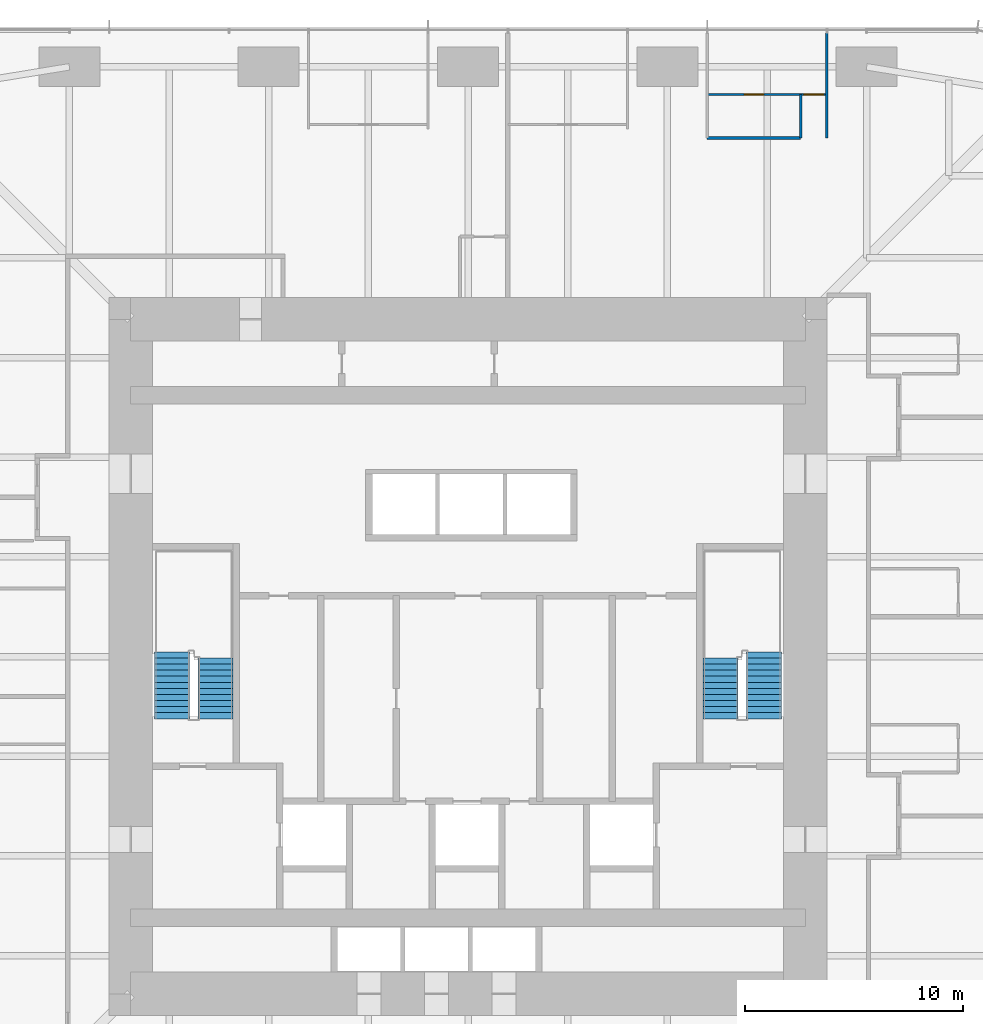
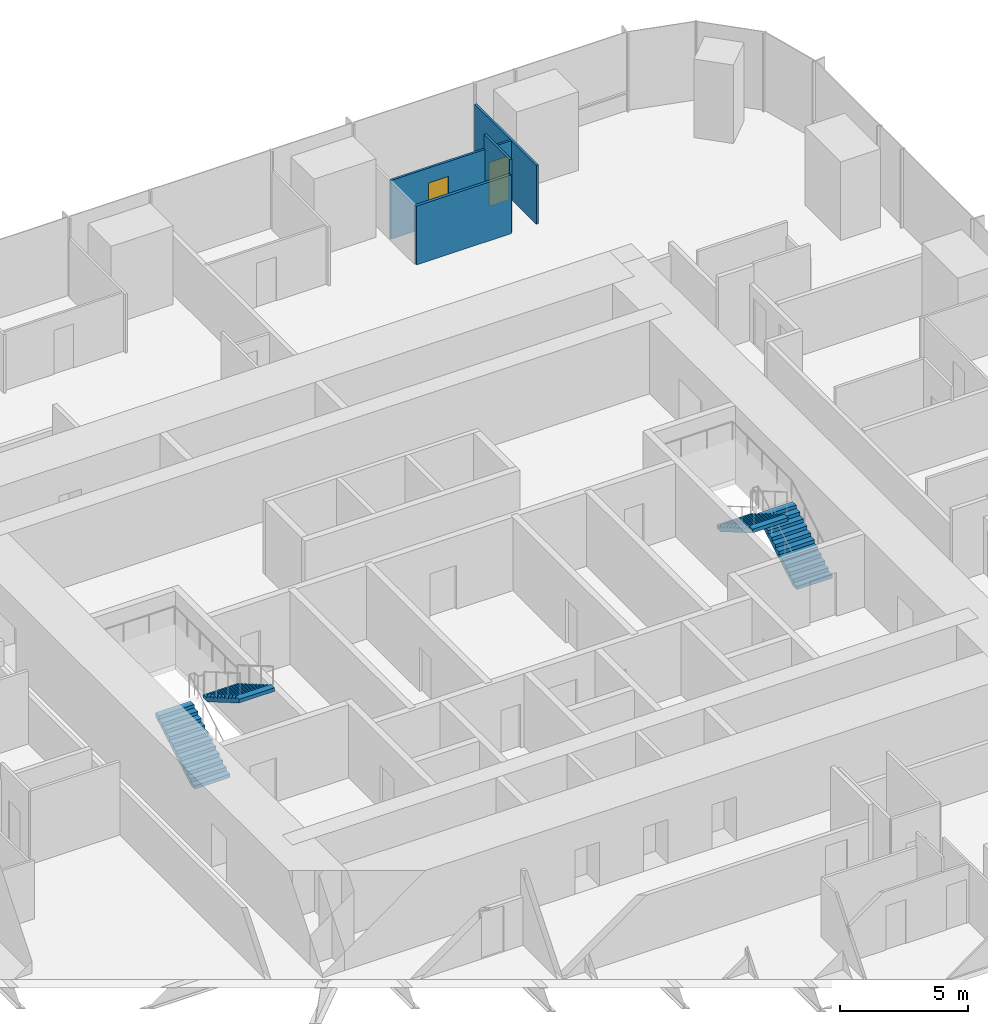
# One storey, part 12 of 13: 4 stair flights, 4 walls, 2 doors, 2 openings, 2 elements without a shape of their own.
"""IFC4 building model written with IfcOpenShell, lengths in metres."""

import ifcopenshell
import ifcopenshell.guid

model = None  # the IFC model being written
_history = None  # IfcOwnerHistory: only IFC2X3 demands one
_inside = {}  # id of a spatial element -> (the spatial element, [elements in it])
_under = {}  # id of a project, library or spatial element -> (it, [spatial elements below it])
_declared = {}  # id of a project -> (the project, [libraries it declares])
_typed = {}  # id of a type object -> (the type object, [elements of that type])
_made_of = {}  # id of a material, layer set ... -> (it, [elements and type objects made of it])


def new_model(schema):
    """Start an empty IFC model of exactly this schema.

    Asked for "IFC4X3", IfcOpenShell would pick the latest addendum, in which some entities
    have other attributes; the version numbers below select the first issue.
    IFC2X3 requires an IfcOwnerHistory on every rooted entity: one is made here for all.
    """
    global model, _history
    if schema == "IFC4X3":
        model = ifcopenshell.file(schema_version=(4, 3, 0, 0))
    else:
        model = ifcopenshell.file(schema=schema)
    _inside.clear()
    _under.clear()
    _declared.clear()
    _typed.clear()
    _made_of.clear()
    _history = None
    if model.schema == "IFC2X3":
        org = make("IfcOrganization", Name="unknown")
        user = make(
            "IfcPersonAndOrganization",
            ThePerson=make("IfcPerson", FamilyName="unknown"),
            TheOrganization=org,
        )
        app = make(
            "IfcApplication",
            ApplicationDeveloper=org,
            Version="unknown",
            ApplicationFullName="unknown",
            ApplicationIdentifier="unknown",
        )
        _history = make(
            "IfcOwnerHistory",
            OwningUser=user,
            OwningApplication=app,
            ChangeAction="ADDED",
            CreationDate=0,
        )
    return model


def make(cls, **values):
    """One entity of the class cls with the attributes given. An attribute that is None is left unset."""
    return model.create_entity(
        cls, **{name: value for name, value in values.items() if value is not None}
    )


def rooted(cls, **values):
    """An entity with a GlobalId (a new one), such as an element, a storey or a relation."""
    return make(cls, GlobalId=ifcopenshell.guid.new(), OwnerHistory=_history, **values)


def si_unit(unit_type, name, prefix=None):
    """IfcSIUnit, for example si_unit("LENGTHUNIT", "METRE", prefix="MILLI")."""
    return make("IfcSIUnit", UnitType=unit_type, Prefix=prefix, Name=name)


def assignment(units):
    """IfcUnitAssignment: the units of a project."""
    return None if units is None else make("IfcUnitAssignment", Units=units)


def point(xyz):
    """IfcCartesianPoint."""
    return None if xyz is None else make("IfcCartesianPoint", Coordinates=xyz)


def direction(xyz):
    """IfcDirection."""
    return None if xyz is None else make("IfcDirection", DirectionRatios=xyz)


def frame(location, z_axis=None, x_axis=None):
    """IfcAxis2Placement3D, a coordinate frame: its origin and axes. An axis left out is left unset."""
    return make(
        "IfcAxis2Placement3D",
        Location=point(location),
        Axis=direction(z_axis),
        RefDirection=direction(x_axis),
    )


def frame_2d(location, x_axis=None):
    """IfcAxis2Placement2D, a coordinate frame in the plane: its origin and x axis."""
    return make(
        "IfcAxis2Placement2D", Location=point(location), RefDirection=direction(x_axis)
    )


def origin():
    """The frame at (0, 0, 0) with its axes left unset."""
    return frame((0.0, 0.0, 0.0))


def place(relative_to, where):
    """IfcLocalPlacement: puts the frame where relative to a parent placement (None: the world)."""
    return make(
        "IfcLocalPlacement", PlacementRelTo=relative_to, RelativePlacement=where
    )


def context(
    kind, dimensions, precision=None, world=None, true_north=None, identifier=None
):
    """IfcGeometricRepresentationContext, for example the 3D "Model" context."""
    return make(
        "IfcGeometricRepresentationContext",
        ContextIdentifier=identifier,
        ContextType=kind,
        CoordinateSpaceDimension=dimensions,
        Precision=precision,
        WorldCoordinateSystem=world,
        TrueNorth=true_north,
    )


def subcontext(parent, identifier, kind, view, scale=None):
    """IfcGeometricRepresentationSubContext, for example "Body" below "Model"."""
    return make(
        "IfcGeometricRepresentationSubContext",
        ContextIdentifier=identifier,
        ContextType=kind,
        ParentContext=parent,
        TargetScale=scale,
        TargetView=view,
    )


def project(units=None, contexts=None):
    """IfcProject with its units and contexts."""
    return rooted(
        "IfcProject",
        Name="project",
        RepresentationContexts=contexts,
        UnitsInContext=assignment(units),
    )


def spatial(cls, under=None, at=None, **own):
    """A site, building, storey or space (cls), placed at a placement, below another one or the project."""
    s = rooted(cls, ObjectPlacement=at, **own)
    if under is not None:
        _under.setdefault(under.id(), (under, []))[1].append(s)
    return s


def polyline(points):
    """IfcPolyline through the points."""
    return make("IfcPolyline", Points=[point(p) for p in points])


def profile(cls, at=None, kind="AREA", **sizes):
    """A parametric profile (cls). Its sizes go by their IFC names, for example OverallWidth=200.0."""
    return make(cls, ProfileType=kind, Position=at, **sizes)


def rectangle(**sizes):
    """IfcRectangleProfileDef."""
    return profile("IfcRectangleProfileDef", **sizes)


def outline(outer, holes=None, kind="AREA"):
    """IfcArbitraryClosedProfileDef: a profile drawn as a closed curve; with holes, ...WithVoids."""
    if holes is None:
        return make("IfcArbitraryClosedProfileDef", ProfileType=kind, OuterCurve=outer)
    return make(
        "IfcArbitraryProfileDefWithVoids",
        ProfileType=kind,
        OuterCurve=outer,
        InnerCurves=holes,
    )


def extrude(swept, where, along, depth):
    """IfcExtrudedAreaSolid: the profile swept, set in the frame where, extruded along a direction by depth."""
    return make(
        "IfcExtrudedAreaSolid",
        SweptArea=swept,
        Position=where,
        ExtrudedDirection=direction(along),
        Depth=depth,
    )


def shape(context_of_items, identifier, shape_type, items):
    """IfcShapeRepresentation: the items that make up one representation, for example the "Body"."""
    return make(
        "IfcShapeRepresentation",
        ContextOfItems=context_of_items,
        RepresentationIdentifier=identifier,
        RepresentationType=shape_type,
        Items=items,
    )


def material(Name=None, Category=None):
    """IfcMaterial."""
    return make("IfcMaterial", Name=Name, Category=Category)


def layer(
    of_material, thickness, ventilated=None, Name=None, Category=None, Priority=None
):
    """IfcMaterialLayer: one layer of a wall or slab, of a material (None: an air gap)."""
    return make(
        "IfcMaterialLayer",
        Material=of_material,
        LayerThickness=thickness,
        IsVentilated=ventilated,
        Name=Name,
        Category=Category,
        Priority=Priority,
    )


def layer_set(layers, Name=None):
    """IfcMaterialLayerSet."""
    return make("IfcMaterialLayerSet", MaterialLayers=layers, LayerSetName=Name)


def made_of(thing, what):
    """Note that an element or type object is made of a material, layer set ...; save() writes the relation."""
    if what is not None:
        _made_of.setdefault(what.id(), (what, []))[1].append(thing)
    return thing


def type_object(cls, material=None, **own):
    """A type object (cls), such as IfcWallType, which elements share."""
    return made_of(rooted(cls, **own), material)


def element(
    cls,
    number,
    at=None,
    inside=None,
    cuts=None,
    type_object=None,
    material=None,
    context=None,
    identifier="Body",
    shape_type=None,
    held_by="IfcProductDefinitionShape",
    body=None,
    shapes=None,
    **own,
):
    """One element of the class cls, such as IfcWall. Its Tag is "e" and its number.

    at: its placement. inside: the storey or other place that contains it. cuts: it is an
    opening in that element (IfcRelVoidsElement). A single representation is given by context,
    identifier, shape_type and body (its items); several are given by shapes. held_by: the class
    of the entity that holds the representations. save() writes the other relations.
    """
    e = rooted(cls, Tag="e%d" % number, ObjectPlacement=at, **own)
    if body is not None:
        shapes = [shape(context, identifier, shape_type, body)]
    if shapes is not None:
        e.Representation = make(held_by, Representations=shapes)
    if inside is not None:
        _inside.setdefault(inside.id(), (inside, []))[1].append(e)
    if cuts is not None:
        rooted(
            "IfcRelVoidsElement", RelatingBuildingElement=cuts, RelatedOpeningElement=e
        )
    if type_object is not None:
        _typed.setdefault(type_object.id(), (type_object, []))[1].append(e)
    return made_of(e, material)


def fill(opening, filler):
    """IfcRelFillsElement: the door or window that sits in an opening."""
    return rooted(
        "IfcRelFillsElement",
        RelatingOpeningElement=opening,
        RelatedBuildingElement=filler,
    )


def aggregate(whole, parts):
    """IfcRelAggregates: a whole, such as a stair, and the parts it consists of."""
    return rooted("IfcRelAggregates", RelatingObject=whole, RelatedObjects=parts)


def save(model, path):
    """Write the relations noted so far, then the file.

    IfcRelAggregates (storeys below a building ...), IfcRelContainedInSpatialStructure (elements
    in a storey), IfcRelDefinesByType, IfcRelAssociatesMaterial and IfcRelDeclares: one each for
    every whole, place, type object, material and project.
    """
    for whole, parts in _under.values():
        aggregate(whole, parts)
    for where, things in _inside.values():
        rooted(
            "IfcRelContainedInSpatialStructure",
            RelatedElements=things,
            RelatingStructure=where,
        )
    for kind, things in _typed.values():
        rooted("IfcRelDefinesByType", RelatedObjects=things, RelatingType=kind)
    for what, things in _made_of.values():
        rooted("IfcRelAssociatesMaterial", RelatedObjects=things, RelatingMaterial=what)
    for by, libraries in _declared.values():
        rooted("IfcRelDeclares", RelatingContext=by, RelatedDefinitions=libraries)
    model.write(path)


model = new_model("IFC4")

# Units and contexts
model_context = context("Model", 3, precision=1e-05, world=origin(), true_north=direction((0.0, 1.0)))
body_context = subcontext(model_context, "Body", "Model", "MODEL_VIEW")
ifc_project = project(units=[si_unit("LENGTHUNIT", "METRE"), si_unit("AREAUNIT", "SQUARE_METRE"), si_unit("VOLUMEUNIT", "CUBIC_METRE"), si_unit("PLANEANGLEUNIT", "RADIAN"), si_unit("MASSUNIT", "GRAM", prefix="KILO")], contexts=[model_context])

# Site, building, storey
site_placement = place(None, origin())
site = spatial("IfcSite", under=ifc_project, at=site_placement, CompositionType="ELEMENT")
building_placement = place(site_placement, origin())
building = spatial("IfcBuilding", under=site, at=building_placement, Name="Khuree Lantern Residences", CompositionType="ELEMENT")
storey_placement = place(building_placement, frame((0.0, 0.0, 137.25)))
storey = spatial("IfcBuildingStorey", under=building, at=storey_placement, Name="L34", CompositionType="ELEMENT", Elevation=137.25)

# Walls
ifc_material_1 = material(Name="Moisture-resistant gypsum board on steel studs", Category="steel")
ifc_layer_1 = layer(ifc_material_1, 0.125)
ifc_layer_set_1 = layer_set([ifc_layer_1], Name="BATHROOM WALL BTW125")
wall_type_1 = type_object("IfcWallType", Name="BATHROOM WALL BTW125", PredefinedType="PARTITIONING", material=ifc_layer_set_1)
wall_1_placement = place(storey_placement, frame((15.2880859375, 23.829833984375, 0.0), z_axis=(0.0, 0.0, 1.0), x_axis=(-1.0, 0.0, 0.0)))
element("IfcWall", 1, at=wall_1_placement, inside=storey, type_object=wall_type_1, Name="L34 BATHROOM WALL 03", PredefinedType="PARTITIONING", context=body_context, shape_type="SweptSolid", body=[
    extrude(rectangle(XDim=4.296142578125, YDim=0.125, at=frame_2d((2.14794921875, 0.0))), origin(), (0.0, 0.0, 1.0), 2.81005859375),
])
ifc_material_2 = material(Name="Gypsum board on steel studs", Category="steel")
ifc_layer_2 = layer(ifc_material_2, 0.10009765625)
ifc_layer_set_2 = layer_set([ifc_layer_2], Name="PARTITION PT100")
wall_type_2 = type_object("IfcWallType", Name="PARTITION PT100", PredefinedType="PARTITIONING", material=ifc_layer_set_2)
wall_2_placement = place(storey_placement, frame((16.488037109375, 23.829833984375, 0.0), z_axis=(0.0, 0.0, 1.0), x_axis=(0.0, 1.0, 0.0)))
element("IfcWall", 2, at=wall_2_placement, inside=storey, type_object=wall_type_2, Name="L34 PARTITION 03", PredefinedType="PARTITIONING", context=body_context, shape_type="SweptSolid", body=[
    extrude(rectangle(XDim=4.820068359375, YDim=0.10009765625, at=frame_2d((2.41015625, 0.0))), origin(), (0.0, 0.0, 1.0), 2.81005859375),
])

# Wall, openings, doors
wall_3_placement = place(storey_placement, frame((16.488037109375, 25.829833984375, 0.0), z_axis=(0.0, 0.0, 1.0), x_axis=(-1.0, 0.0, 0.0)))
wall_3 = element("IfcWall", 3, at=wall_3_placement, inside=storey, type_object=wall_type_2, Name="L34 PARTITION 03", PredefinedType="PARTITIONING", context=body_context, shape_type="SweptSolid", body=[
    extrude(rectangle(XDim=5.49609375, YDim=0.10009765625, at=frame_2d((2.748046875, 0.0))), origin(), (0.0, 0.0, 1.0), 2.81005859375),
])
opening_1_placement = place(wall_3_placement, frame((0.14990234375, 0.0, 0.0)))
opening_1 = element("IfcOpeningElement", 4, at=opening_1_placement, cuts=wall_3, Name="Opening 34-029", PredefinedType="OPENING", context=body_context, shape_type="SweptSolid", body=[
    extrude(rectangle(XDim=0.89990234375, YDim=2.10009765625, at=frame_2d((0.449951171875, 1.050048828125))), frame((0.0, 0.06005859375, 0.0), z_axis=(0.0, -1.0, 0.0), x_axis=(1.0, 0.0, 0.0)), (0.0, 0.0, 1.0), 0.1201171875),
])
opening_2_placement = place(wall_3_placement, frame((2.89794921875, 0.0, 0.0)))
opening_2 = element("IfcOpeningElement", 5, at=opening_2_placement, cuts=wall_3, Name="Opening 34-030", PredefinedType="OPENING", context=body_context, shape_type="SweptSolid", body=[
    extrude(rectangle(XDim=0.89990234375, YDim=2.10009765625, at=frame_2d((0.449951171875, 1.050048828125))), frame((0.0, 0.06005859375, 0.0), z_axis=(0.0, -1.0, 0.0), x_axis=(1.0, 0.0, 0.0)), (0.0, 0.0, 1.0), 0.1201171875),
])
ifc_material_3 = material(Name="Timber door leaf in hardwood frame", Category="wood")
door_type_1 = type_object("IfcDoorType", Name="BATHROOM DOOR 900X2100", OperationType="SINGLE_SWING_LEFT", PredefinedType="DOOR", material=ifc_material_3)
door_1_placement = place(opening_2_placement, origin())
door_1 = element("IfcDoor", 6, at=door_1_placement, inside=storey, type_object=door_type_1, Name="Bathroom door 34-030", OperationType="SINGLE_SWING_LEFT", OverallHeight=2.10009765625, OverallWidth=0.89990234375, PredefinedType="DOOR", context=body_context, shape_type="SweptSolid", body=[
    extrude(rectangle(XDim=0.89990234375, YDim=2.10009765625, at=frame_2d((0.449951171875, 1.050048828125))), frame((0.0, 0.02490234375, 0.0), z_axis=(0.0, -1.0, 0.0), x_axis=(1.0, 0.0, 0.0)), (0.0, 0.0, 1.0), 0.050048828125),
])
fill(opening_2, door_1)
door_type_2 = type_object("IfcDoorType", Name="BEDROOM DOOR 900X2100", OperationType="SINGLE_SWING_LEFT", PredefinedType="DOOR", material=ifc_material_3)
door_2_placement = place(opening_1_placement, origin())
door_2 = element("IfcDoor", 7, at=door_2_placement, inside=storey, type_object=door_type_2, Name="Bedroom door 34-029", OperationType="SINGLE_SWING_LEFT", OverallHeight=2.10009765625, OverallWidth=0.89990234375, PredefinedType="DOOR", context=body_context, shape_type="SweptSolid", body=[
    extrude(rectangle(XDim=0.89990234375, YDim=2.10009765625, at=frame_2d((0.449951171875, 1.050048828125))), frame((0.0, 0.02490234375, 0.0), z_axis=(0.0, -1.0, 0.0), x_axis=(1.0, 0.0, 0.0)), (0.0, 0.0, 1.0), 0.050048828125),
])
fill(opening_1, door_2)

# Wall
wall_4_placement = place(storey_placement, frame((15.2880859375, 23.829833984375, 0.0), z_axis=(0.0, 0.0, 1.0), x_axis=(0.0, 1.0, 0.0)))
element("IfcWall", 8, at=wall_4_placement, inside=storey, type_object=wall_type_2, Name="L34 PARTITION 03", PredefinedType="PARTITIONING", context=body_context, shape_type="SweptSolid", body=[
    extrude(rectangle(XDim=2.0, YDim=0.10009765625, at=frame_2d((1.0, 0.0))), origin(), (0.0, 0.0, 1.0), 3.5),
])

# Stair, stair flights
ifc_material_4 = material(Name="Concrete C40/50", Category="concrete")
stair_type = type_object("IfcStairType", Name="STAIR ST1 HALF TURN 3600", PredefinedType="HALF_TURN_STAIR", material=ifc_material_4)
stair_1_placement = place(storey_placement, origin())
stair_1 = element("IfcStair", 9, at=stair_1_placement, inside=storey, type_object=stair_type, Name="Stair ST1", PredefinedType="HALF_TURN_STAIR")
stair_flight_type = type_object("IfcStairFlightType", Name="STAIR FLIGHT SF1 1600", PredefinedType="STRAIGHT", material=ifc_material_4)
stair_flight_1_placement = place(storey_placement, frame((-13.60009765625, -2.860107421875, 0.0), z_axis=(0.0, 0.0, 1.0), x_axis=(0.0, 1.0, 0.0)))
stair_flight_1 = element("IfcStairFlight", 10, at=stair_flight_1_placement, type_object=stair_flight_type, Name="ST1 flight 1", NumberOfRisers=12, NumberOfTreads=11, PredefinedType="STRAIGHT", RiserHeight=0.163043478, TreadLength=0.28, context=body_context, shape_type="SweptSolid", body=[
    extrude(outline(polyline([(0.0, 0.0), (0.0, 0.1630859375), (0.280029296875, 0.1630859375), (0.280029296875, 0.326171875), (0.56005859375, 0.326171875), (0.56005859375, 0.489013671875), (0.840087890625, 0.489013671875), (0.840087890625, 0.652099609375), (1.1201171875, 0.652099609375), (1.1201171875, 0.815185546875), (1.39990234375, 0.815185546875), (1.39990234375, 0.978271484375), (1.679931640625, 0.978271484375), (1.679931640625, 1.141357421875), (1.9599609375, 1.141357421875), (1.9599609375, 1.304443359375), (2.239990234375, 1.304443359375), (2.239990234375, 1.46728515625), (2.52001953125, 1.46728515625), (2.52001953125, 1.63037109375), (2.800048828125, 1.63037109375), (2.800048828125, 1.79345703125), (3.080078125, 1.79345703125), (3.080078125, 1.95654296875), (3.080078125, 1.6201171875), (0.2978515625, 0.0), (0.0, 0.0)])), frame((0.0, 0.800048828125, 0.0), z_axis=(0.0, -1.0, 0.0), x_axis=(1.0, 0.0, 0.0)), (0.0, 0.0, 1.0), 1.60009765625),
])
stair_flight_2_placement = place(storey_placement, frame((-11.60009765625, -0.06005859375, 1.95654296875), z_axis=(0.0, 0.0, 1.0), x_axis=(0.0, -1.0, 0.0)))
stair_flight_2 = element("IfcStairFlight", 11, at=stair_flight_2_placement, type_object=stair_flight_type, Name="ST1 flight 2", NumberOfRisers=11, NumberOfTreads=10, PredefinedType="STRAIGHT", RiserHeight=0.163043478, TreadLength=0.28, context=body_context, shape_type="SweptSolid", body=[
    extrude(outline(polyline([(0.0, 0.0), (0.0, 0.1630859375), (0.280029296875, 0.1630859375), (0.280029296875, 0.326171875), (0.56005859375, 0.326171875), (0.56005859375, 0.489013671875), (0.840087890625, 0.489013671875), (0.840087890625, 0.652099609375), (1.1201171875, 0.652099609375), (1.1201171875, 0.815185546875), (1.39990234375, 0.815185546875), (1.39990234375, 0.978271484375), (1.679931640625, 0.978271484375), (1.679931640625, 1.141357421875), (1.9599609375, 1.141357421875), (1.9599609375, 1.304443359375), (2.239990234375, 1.304443359375), (2.239990234375, 1.46728515625), (2.52001953125, 1.46728515625), (2.52001953125, 1.63037109375), (2.800048828125, 1.63037109375), (2.800048828125, 1.79345703125), (2.800048828125, 1.45703125), (0.2978515625, 0.0), (0.0, 0.0)])), frame((0.0, 0.800048828125, 0.0), z_axis=(0.0, -1.0, 0.0), x_axis=(1.0, 0.0, 0.0)), (0.0, 0.0, 1.0), 1.60009765625),
])
aggregate(stair_1, [stair_flight_1, stair_flight_2])

stair_2_placement = place(storey_placement, origin())
stair_2 = element("IfcStair", 12, at=stair_2_placement, inside=storey, type_object=stair_type, Name="Stair ST2", PredefinedType="HALF_TURN_STAIR")
stair_flight_3_placement = place(storey_placement, frame((13.60009765625, -2.860107421875, 0.0), z_axis=(0.0, 0.0, 1.0), x_axis=(0.0, 1.0, 0.0)))
stair_flight_3 = element("IfcStairFlight", 13, at=stair_flight_3_placement, type_object=stair_flight_type, Name="ST2 flight 1", NumberOfRisers=12, NumberOfTreads=11, PredefinedType="STRAIGHT", RiserHeight=0.163043478, TreadLength=0.28, context=body_context, shape_type="SweptSolid", body=[
    extrude(outline(polyline([(0.0, 0.0), (0.0, 0.1630859375), (0.280029296875, 0.1630859375), (0.280029296875, 0.326171875), (0.56005859375, 0.326171875), (0.56005859375, 0.489013671875), (0.840087890625, 0.489013671875), (0.840087890625, 0.652099609375), (1.1201171875, 0.652099609375), (1.1201171875, 0.815185546875), (1.39990234375, 0.815185546875), (1.39990234375, 0.978271484375), (1.679931640625, 0.978271484375), (1.679931640625, 1.141357421875), (1.9599609375, 1.141357421875), (1.9599609375, 1.304443359375), (2.239990234375, 1.304443359375), (2.239990234375, 1.46728515625), (2.52001953125, 1.46728515625), (2.52001953125, 1.63037109375), (2.800048828125, 1.63037109375), (2.800048828125, 1.79345703125), (3.080078125, 1.79345703125), (3.080078125, 1.95654296875), (3.080078125, 1.6201171875), (0.2978515625, 0.0), (0.0, 0.0)])), frame((0.0, 0.800048828125, 0.0), z_axis=(0.0, -1.0, 0.0), x_axis=(1.0, 0.0, 0.0)), (0.0, 0.0, 1.0), 1.60009765625),
])
stair_flight_4_placement = place(storey_placement, frame((11.60009765625, -0.06005859375, 1.95654296875), z_axis=(0.0, 0.0, 1.0), x_axis=(0.0, -1.0, 0.0)))
stair_flight_4 = element("IfcStairFlight", 14, at=stair_flight_4_placement, type_object=stair_flight_type, Name="ST2 flight 2", NumberOfRisers=11, NumberOfTreads=10, PredefinedType="STRAIGHT", RiserHeight=0.163043478, TreadLength=0.28, context=body_context, shape_type="SweptSolid", body=[
    extrude(outline(polyline([(0.0, 0.0), (0.0, 0.1630859375), (0.280029296875, 0.1630859375), (0.280029296875, 0.326171875), (0.56005859375, 0.326171875), (0.56005859375, 0.489013671875), (0.840087890625, 0.489013671875), (0.840087890625, 0.652099609375), (1.1201171875, 0.652099609375), (1.1201171875, 0.815185546875), (1.39990234375, 0.815185546875), (1.39990234375, 0.978271484375), (1.679931640625, 0.978271484375), (1.679931640625, 1.141357421875), (1.9599609375, 1.141357421875), (1.9599609375, 1.304443359375), (2.239990234375, 1.304443359375), (2.239990234375, 1.46728515625), (2.52001953125, 1.46728515625), (2.52001953125, 1.63037109375), (2.800048828125, 1.63037109375), (2.800048828125, 1.79345703125), (2.800048828125, 1.45703125), (0.2978515625, 0.0), (0.0, 0.0)])), frame((0.0, 0.800048828125, 0.0), z_axis=(0.0, -1.0, 0.0), x_axis=(1.0, 0.0, 0.0)), (0.0, 0.0, 1.0), 1.60009765625),
])
aggregate(stair_2, [stair_flight_3, stair_flight_4])

save(model, "model.ifc")
